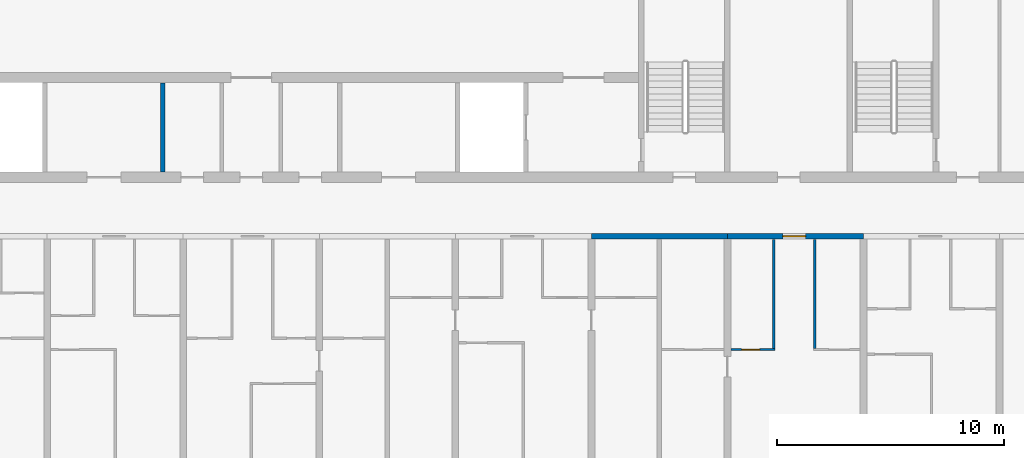
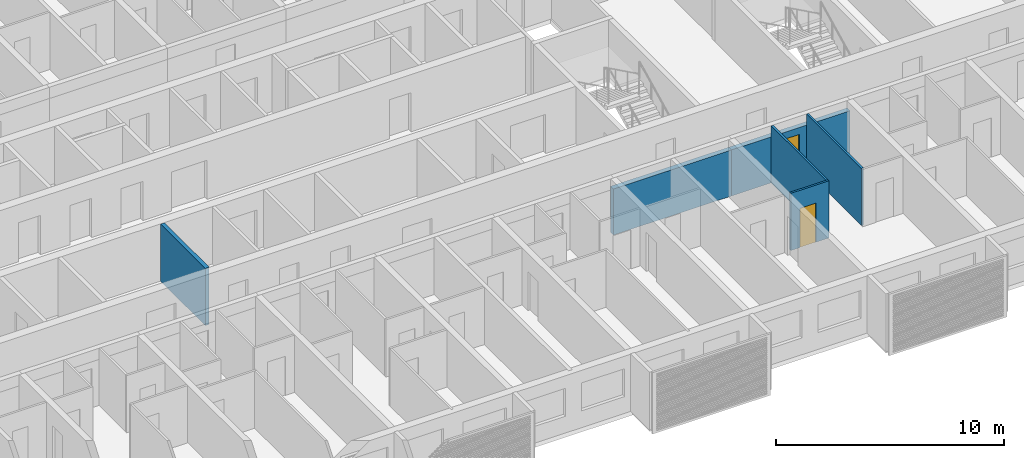
# One storey, part 6 of 33: 6 walls, 2 doors, 2 openings.
"""IFC4 building model written with IfcOpenShell, lengths in metres."""

from ifc_helpers import new_model, si_unit, direction, frame, frame_2d, origin, place, context, subcontext, project, spatial, rectangle, extrude, material, layer, layer_set, type_object, element, fill, save


model = new_model("IFC4")

# Units and contexts
model_context = context("Model", 3, precision=1e-05, world=origin(), true_north=direction((0.0, 1.0)))
body_context = subcontext(model_context, "Body", "Model", "MODEL_VIEW")
ifc_project = project(units=[si_unit("LENGTHUNIT", "METRE"), si_unit("AREAUNIT", "SQUARE_METRE"), si_unit("VOLUMEUNIT", "CUBIC_METRE"), si_unit("PLANEANGLEUNIT", "RADIAN"), si_unit("MASSUNIT", "GRAM", prefix="KILO")], contexts=[model_context])

# Site, building, storey
site_placement = place(None, origin())
site = spatial("IfcSite", under=ifc_project, at=site_placement, CompositionType="ELEMENT")
building_placement = place(site_placement, origin())
building = spatial("IfcBuilding", under=site, at=building_placement, Name="Poui Terraces", CompositionType="ELEMENT")
storey_placement = place(building_placement, frame((0.0, 0.0, 135.60009765625)))
storey = spatial("IfcBuildingStorey", under=building, at=storey_placement, Name="L37", CompositionType="ELEMENT", Elevation=135.60009765625)

# Wall
ifc_material_1 = material(Name="Concrete 65 MPa", Category="concrete")
ifc_layer_1 = layer(ifc_material_1, 0.25)
ifc_layer_set_1 = layer_set([ifc_layer_1], Name="Concrete 65 MPa")
wall_type_1 = type_object("IfcWallType", Name="CORRIDOR WALL 250 65MPa", PredefinedType="SHEAR", material=ifc_layer_set_1)
wall_1_placement = place(storey_placement, frame((66.0, 12.0, 0.0), z_axis=(0.0, 0.0, 1.0), x_axis=(1.0, 0.0, 0.0)))
element("IfcWall", 1, at=wall_1_placement, inside=storey, type_object=wall_type_1, Name="CORRIDOR WALL LINE B BAY 10", PredefinedType="SHEAR", context=body_context, shape_type="SweptSolid", body=[
    extrude(rectangle(XDim=6.0, YDim=0.25, at=frame_2d((3.0, 0.0))), origin(), (0.0, 0.0, 1.0), 2.469970703125),
])

# Wall, opening, door
wall_2_placement = place(storey_placement, frame((72.0, 12.0, 0.0), z_axis=(0.0, 0.0, 1.0), x_axis=(1.0, 0.0, 0.0)))
wall_2 = element("IfcWall", 2, at=wall_2_placement, inside=storey, type_object=wall_type_1, Name="CORRIDOR WALL LINE B BAY 11", PredefinedType="SHEAR", context=body_context, shape_type="SweptSolid", body=[
    extrude(rectangle(XDim=6.0, YDim=0.25, at=frame_2d((3.0, 0.0))), origin(), (0.0, 0.0, 1.0), 2.469970703125),
])
opening_1_placement = place(wall_2_placement, frame((2.449951171875, 0.0, 0.0)))
opening_1 = element("IfcOpeningElement", 3, at=opening_1_placement, cuts=wall_2, Name="Opening FD30S", PredefinedType="OPENING", context=body_context, shape_type="SweptSolid", body=[
    extrude(rectangle(XDim=1.0, YDim=2.10009765625, at=frame_2d((0.5, 1.050048828125))), frame((0.0, 0.135009765625, 0.0), z_axis=(0.0, -1.0, 0.0), x_axis=(1.0, 0.0, 0.0)), (0.0, 0.0, 1.0), 0.27001953125),
])
ifc_material_2 = material(Name="Steel fire door", Category="steel")
door_type_1 = type_object("IfcDoorType", Name="FLAT ENTRANCE DOOR 1000 X 2100", OperationType="NOTDEFINED", PredefinedType="DOOR", material=ifc_material_2)
door_1_placement = place(opening_1_placement, frame((1.0, 0.0, 0.0), z_axis=(0.0, 0.0, 1.0), x_axis=(-1.0, 0.0, 0.0)))
door_1 = element("IfcDoor", 4, at=door_1_placement, inside=storey, type_object=door_type_1, Name="FLAT ENTRANCE DOOR 110", OperationType="SINGLE_SWING_RIGHT", OverallHeight=2.10009765625, OverallWidth=1.0, PredefinedType="DOOR", context=body_context, shape_type="SweptSolid", body=[
    extrude(rectangle(XDim=1.0, YDim=2.10009765625, at=frame_2d((0.5, 1.050048828125))), frame((0.0, 0.02490234375, 0.0), z_axis=(0.0, -1.0, 0.0), x_axis=(1.0, 0.0, 0.0)), (0.0, 0.0, 1.0), 0.050048828125),
])
fill(opening_1, door_1)

ifc_material_3 = material(Name="Plasterboard partition")
ifc_layer_2 = layer(ifc_material_3, 0.10009765625)
ifc_layer_set_2 = layer_set([ifc_layer_2], Name="Plasterboard partition")
wall_type_2 = type_object("IfcWallType", Name="FLAT PARTITION 100", PredefinedType="PARTITIONING", material=ifc_layer_set_2)
wall_3_placement = place(storey_placement, frame((72.159912109375, 7.0, 0.0), z_axis=(0.0, 0.0, 1.0), x_axis=(1.0, 0.0, 0.0)))
wall_3 = element("IfcWall", 5, at=wall_3_placement, inside=storey, type_object=wall_type_2, Name="FLAT PARTITION 100", PredefinedType="PARTITIONING", context=body_context, shape_type="SweptSolid", body=[
    extrude(rectangle(XDim=1.940185546875, YDim=0.10009765625, at=frame_2d((0.97021484375, 0.0))), origin(), (0.0, 0.0, 1.0), 3.06982421875),
])
opening_2_placement = place(wall_3_placement, frame((0.465087890625, 0.0, 0.0)))
opening_2 = element("IfcOpeningElement", 6, at=opening_2_placement, cuts=wall_3, Name="Opening D80", PredefinedType="OPENING", context=body_context, shape_type="SweptSolid", body=[
    extrude(rectangle(XDim=0.800048828125, YDim=2.10009765625, at=frame_2d((0.39990234375, 1.050048828125))), frame((0.0, 0.06005859375, 0.0), z_axis=(0.0, -1.0, 0.0), x_axis=(1.0, 0.0, 0.0)), (0.0, 0.0, 1.0), 0.1201171875),
])
ifc_material_4 = material(Name="Solid core timber door", Category="wood")
door_type_2 = type_object("IfcDoorType", Name="BATHROOM, LAUNDRY AND STORE DOOR 800 X 2100", OperationType="NOTDEFINED", PredefinedType="DOOR", material=ifc_material_4)
door_2_placement = place(opening_2_placement, origin())
door_2 = element("IfcDoor", 7, at=door_2_placement, inside=storey, type_object=door_type_2, Name="BATHROOM, LAUNDRY AND STORE DOOR 109", OperationType="SINGLE_SWING_LEFT", OverallHeight=2.10009765625, OverallWidth=0.800048828125, PredefinedType="DOOR", context=body_context, shape_type="SweptSolid", body=[
    extrude(rectangle(XDim=0.800048828125, YDim=2.10009765625, at=frame_2d((0.39990234375, 1.050048828125))), frame((0.0, 0.02490234375, 0.0), z_axis=(0.0, -1.0, 0.0), x_axis=(1.0, 0.0, 0.0)), (0.0, 0.0, 1.0), 0.050048828125),
])
fill(opening_2, door_2)

# Walls
for number, where, z_axis, x_axis, name in (
    (8, (74.050048828125, 7.050048828125, 0.0), (0.0, 0.0, 1.0), (0.0, 1.0, 0.0), "FLAT PARTITION 100"),
    (9, (75.85009765625, 7.050048828125, 0.0), (0.0, 0.0, 1.0), (0.0, 1.0, 0.0), "FLAT PARTITION 100"),
):
    element("IfcWall", number, at=place(storey_placement, frame(where, z_axis=z_axis, x_axis=x_axis)), inside=storey, type_object=wall_type_2, Name=name, PredefinedType="PARTITIONING", context=body_context, shape_type="SweptSolid", body=[
        extrude(rectangle(XDim=4.81494140625, YDim=0.10009765625, at=frame_2d((2.407470703125, 0.0))), origin(), (0.0, 0.0, 1.0), 3.06982421875),
    ])
ifc_material_5 = material(Name="Fire-rated masonry wall", Category="masonry")
ifc_layer_3 = layer(ifc_material_5, 0.199951171875)
ifc_layer_set_3 = layer_set([ifc_layer_3], Name="Fire-rated masonry wall")
wall_type_3 = type_object("IfcWallType", Name="PLANT ROOM WALL 200", PredefinedType="PARTITIONING", material=ifc_layer_set_3)
wall_4_placement = place(storey_placement, frame((47.10009765625, 14.8349609375, 0.0), z_axis=(0.0, 0.0, 1.0), x_axis=(0.0, 1.0, 0.0)))
element("IfcWall", 10, at=wall_4_placement, inside=storey, type_object=wall_type_3, Name="PLANT ROOM WALL 200", PredefinedType="PARTITIONING", context=body_context, shape_type="SweptSolid", body=[
    extrude(rectangle(XDim=3.929931640625, YDim=0.199951171875, at=frame_2d((1.96484375, 0.0))), origin(), (0.0, 0.0, 1.0), 3.06982421875),
])

save(model, "model.ifc")
